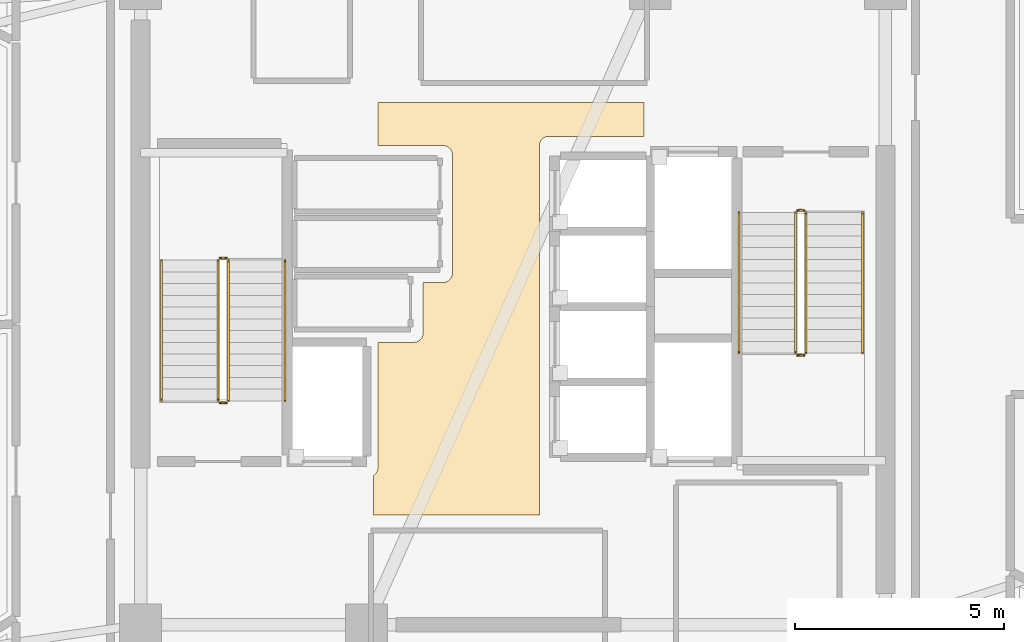
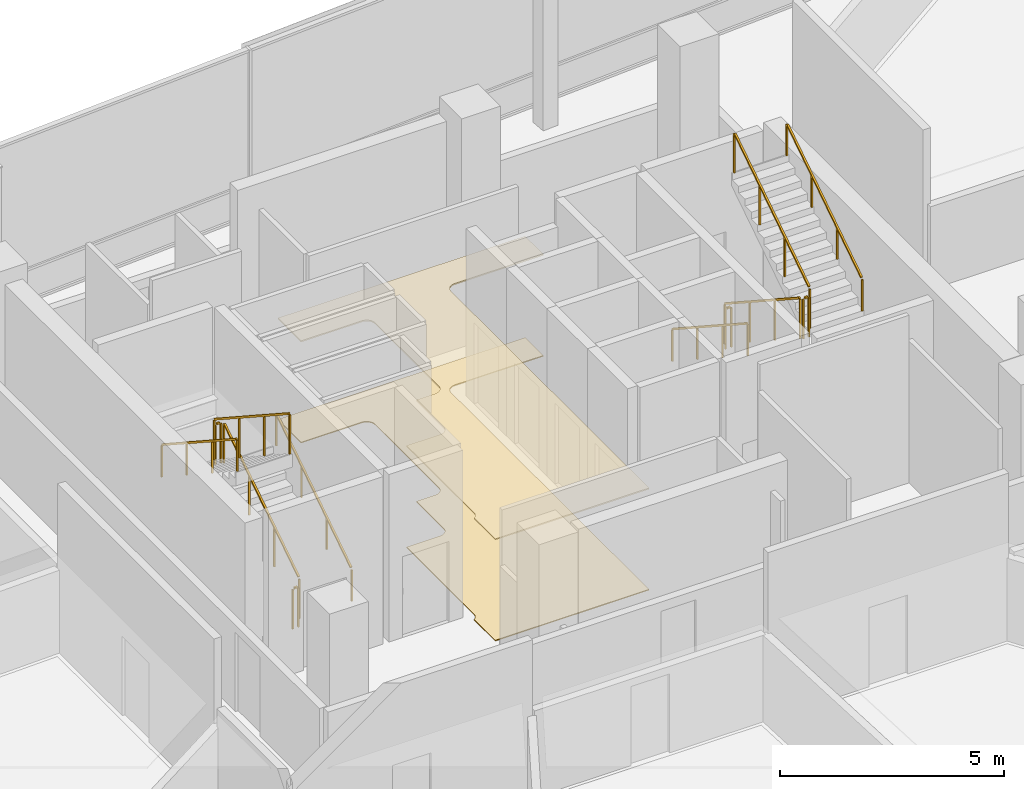
# One storey, part 15 of 16: 12 railings, 2 coverings.
"""IFC4 building model written with IfcOpenShell, lengths in metres."""

import ifcopenshell
import ifcopenshell.guid

model = None  # the IFC model being written
_history = None  # IfcOwnerHistory: only IFC2X3 demands one
_inside = {}  # id of a spatial element -> (the spatial element, [elements in it])
_under = {}  # id of a project, library or spatial element -> (it, [spatial elements below it])
_declared = {}  # id of a project -> (the project, [libraries it declares])
_typed = {}  # id of a type object -> (the type object, [elements of that type])
_made_of = {}  # id of a material, layer set ... -> (it, [elements and type objects made of it])


def new_model(schema):
    """Start an empty IFC model of exactly this schema.

    Asked for "IFC4X3", IfcOpenShell would pick the latest addendum, in which some entities
    have other attributes; the version numbers below select the first issue.
    IFC2X3 requires an IfcOwnerHistory on every rooted entity: one is made here for all.
    """
    global model, _history
    if schema == "IFC4X3":
        model = ifcopenshell.file(schema_version=(4, 3, 0, 0))
    else:
        model = ifcopenshell.file(schema=schema)
    _inside.clear()
    _under.clear()
    _declared.clear()
    _typed.clear()
    _made_of.clear()
    _history = None
    if model.schema == "IFC2X3":
        org = make("IfcOrganization", Name="unknown")
        user = make(
            "IfcPersonAndOrganization",
            ThePerson=make("IfcPerson", FamilyName="unknown"),
            TheOrganization=org,
        )
        app = make(
            "IfcApplication",
            ApplicationDeveloper=org,
            Version="unknown",
            ApplicationFullName="unknown",
            ApplicationIdentifier="unknown",
        )
        _history = make(
            "IfcOwnerHistory",
            OwningUser=user,
            OwningApplication=app,
            ChangeAction="ADDED",
            CreationDate=0,
        )
    return model


def make(cls, **values):
    """One entity of the class cls with the attributes given. An attribute that is None is left unset."""
    return model.create_entity(
        cls, **{name: value for name, value in values.items() if value is not None}
    )


def rooted(cls, **values):
    """An entity with a GlobalId (a new one), such as an element, a storey or a relation."""
    return make(cls, GlobalId=ifcopenshell.guid.new(), OwnerHistory=_history, **values)


def si_unit(unit_type, name, prefix=None):
    """IfcSIUnit, for example si_unit("LENGTHUNIT", "METRE", prefix="MILLI")."""
    return make("IfcSIUnit", UnitType=unit_type, Prefix=prefix, Name=name)


def assignment(units):
    """IfcUnitAssignment: the units of a project."""
    return None if units is None else make("IfcUnitAssignment", Units=units)


def point(xyz):
    """IfcCartesianPoint."""
    return None if xyz is None else make("IfcCartesianPoint", Coordinates=xyz)


def direction(xyz):
    """IfcDirection."""
    return None if xyz is None else make("IfcDirection", DirectionRatios=xyz)


def frame(location, z_axis=None, x_axis=None):
    """IfcAxis2Placement3D, a coordinate frame: its origin and axes. An axis left out is left unset."""
    return make(
        "IfcAxis2Placement3D",
        Location=point(location),
        Axis=direction(z_axis),
        RefDirection=direction(x_axis),
    )


def frame_2d(location, x_axis=None):
    """IfcAxis2Placement2D, a coordinate frame in the plane: its origin and x axis."""
    return make(
        "IfcAxis2Placement2D", Location=point(location), RefDirection=direction(x_axis)
    )


def origin():
    """The frame at (0, 0, 0) with its axes left unset."""
    return frame((0.0, 0.0, 0.0))


def origin_2d():
    """The frame at (0, 0) in the plane with its x axis left unset."""
    return frame_2d((0.0, 0.0))


def place(relative_to, where):
    """IfcLocalPlacement: puts the frame where relative to a parent placement (None: the world)."""
    return make(
        "IfcLocalPlacement", PlacementRelTo=relative_to, RelativePlacement=where
    )


def context(
    kind, dimensions, precision=None, world=None, true_north=None, identifier=None
):
    """IfcGeometricRepresentationContext, for example the 3D "Model" context."""
    return make(
        "IfcGeometricRepresentationContext",
        ContextIdentifier=identifier,
        ContextType=kind,
        CoordinateSpaceDimension=dimensions,
        Precision=precision,
        WorldCoordinateSystem=world,
        TrueNorth=true_north,
    )


def subcontext(parent, identifier, kind, view, scale=None):
    """IfcGeometricRepresentationSubContext, for example "Body" below "Model"."""
    return make(
        "IfcGeometricRepresentationSubContext",
        ContextIdentifier=identifier,
        ContextType=kind,
        ParentContext=parent,
        TargetScale=scale,
        TargetView=view,
    )


def project(units=None, contexts=None):
    """IfcProject with its units and contexts."""
    return rooted(
        "IfcProject",
        Name="project",
        RepresentationContexts=contexts,
        UnitsInContext=assignment(units),
    )


def spatial(cls, under=None, at=None, **own):
    """A site, building, storey or space (cls), placed at a placement, below another one or the project."""
    s = rooted(cls, ObjectPlacement=at, **own)
    if under is not None:
        _under.setdefault(under.id(), (under, []))[1].append(s)
    return s


def polyline(points):
    """IfcPolyline through the points."""
    return make("IfcPolyline", Points=[point(p) for p in points])


def profile(cls, at=None, kind="AREA", **sizes):
    """A parametric profile (cls). Its sizes go by their IFC names, for example OverallWidth=200.0."""
    return make(cls, ProfileType=kind, Position=at, **sizes)


def rectangle(**sizes):
    """IfcRectangleProfileDef."""
    return profile("IfcRectangleProfileDef", **sizes)


def outline(outer, holes=None, kind="AREA"):
    """IfcArbitraryClosedProfileDef: a profile drawn as a closed curve; with holes, ...WithVoids."""
    if holes is None:
        return make("IfcArbitraryClosedProfileDef", ProfileType=kind, OuterCurve=outer)
    return make(
        "IfcArbitraryProfileDefWithVoids",
        ProfileType=kind,
        OuterCurve=outer,
        InnerCurves=holes,
    )


def extrude(swept, where, along, depth):
    """IfcExtrudedAreaSolid: the profile swept, set in the frame where, extruded along a direction by depth."""
    return make(
        "IfcExtrudedAreaSolid",
        SweptArea=swept,
        Position=where,
        ExtrudedDirection=direction(along),
        Depth=depth,
    )


def shape(context_of_items, identifier, shape_type, items):
    """IfcShapeRepresentation: the items that make up one representation, for example the "Body"."""
    return make(
        "IfcShapeRepresentation",
        ContextOfItems=context_of_items,
        RepresentationIdentifier=identifier,
        RepresentationType=shape_type,
        Items=items,
    )


def material(Name=None, Category=None):
    """IfcMaterial."""
    return make("IfcMaterial", Name=Name, Category=Category)


def layer(
    of_material, thickness, ventilated=None, Name=None, Category=None, Priority=None
):
    """IfcMaterialLayer: one layer of a wall or slab, of a material (None: an air gap)."""
    return make(
        "IfcMaterialLayer",
        Material=of_material,
        LayerThickness=thickness,
        IsVentilated=ventilated,
        Name=Name,
        Category=Category,
        Priority=Priority,
    )


def layer_set(layers, Name=None):
    """IfcMaterialLayerSet."""
    return make("IfcMaterialLayerSet", MaterialLayers=layers, LayerSetName=Name)


def made_of(thing, what):
    """Note that an element or type object is made of a material, layer set ...; save() writes the relation."""
    if what is not None:
        _made_of.setdefault(what.id(), (what, []))[1].append(thing)
    return thing


def type_object(cls, material=None, **own):
    """A type object (cls), such as IfcWallType, which elements share."""
    return made_of(rooted(cls, **own), material)


def element(
    cls,
    number,
    at=None,
    inside=None,
    cuts=None,
    type_object=None,
    material=None,
    context=None,
    identifier="Body",
    shape_type=None,
    held_by="IfcProductDefinitionShape",
    body=None,
    shapes=None,
    **own,
):
    """One element of the class cls, such as IfcWall. Its Tag is "e" and its number.

    at: its placement. inside: the storey or other place that contains it. cuts: it is an
    opening in that element (IfcRelVoidsElement). A single representation is given by context,
    identifier, shape_type and body (its items); several are given by shapes. held_by: the class
    of the entity that holds the representations. save() writes the other relations.
    """
    e = rooted(cls, Tag="e%d" % number, ObjectPlacement=at, **own)
    if body is not None:
        shapes = [shape(context, identifier, shape_type, body)]
    if shapes is not None:
        e.Representation = make(held_by, Representations=shapes)
    if inside is not None:
        _inside.setdefault(inside.id(), (inside, []))[1].append(e)
    if cuts is not None:
        rooted(
            "IfcRelVoidsElement", RelatingBuildingElement=cuts, RelatedOpeningElement=e
        )
    if type_object is not None:
        _typed.setdefault(type_object.id(), (type_object, []))[1].append(e)
    return made_of(e, material)


def aggregate(whole, parts):
    """IfcRelAggregates: a whole, such as a stair, and the parts it consists of."""
    return rooted("IfcRelAggregates", RelatingObject=whole, RelatedObjects=parts)


def save(model, path):
    """Write the relations noted so far, then the file.

    IfcRelAggregates (storeys below a building ...), IfcRelContainedInSpatialStructure (elements
    in a storey), IfcRelDefinesByType, IfcRelAssociatesMaterial and IfcRelDeclares: one each for
    every whole, place, type object, material and project.
    """
    for whole, parts in _under.values():
        aggregate(whole, parts)
    for where, things in _inside.values():
        rooted(
            "IfcRelContainedInSpatialStructure",
            RelatedElements=things,
            RelatingStructure=where,
        )
    for kind, things in _typed.values():
        rooted("IfcRelDefinesByType", RelatedObjects=things, RelatingType=kind)
    for what, things in _made_of.values():
        rooted("IfcRelAssociatesMaterial", RelatedObjects=things, RelatingMaterial=what)
    for by, libraries in _declared.values():
        rooted("IfcRelDeclares", RelatingContext=by, RelatedDefinitions=libraries)
    model.write(path)


model = new_model("IFC4")

# Units and contexts
model_context = context("Model", 3, precision=1e-05, world=origin(), true_north=direction((0.0, 1.0)))
body_context = subcontext(model_context, "Body", "Model", "MODEL_VIEW")
ifc_project = project(units=[si_unit("LENGTHUNIT", "METRE"), si_unit("AREAUNIT", "SQUARE_METRE"), si_unit("VOLUMEUNIT", "CUBIC_METRE"), si_unit("PLANEANGLEUNIT", "RADIAN"), si_unit("MASSUNIT", "GRAM", prefix="KILO")], contexts=[model_context])

# Site, building, storey
site_placement = place(None, origin())
site = spatial("IfcSite", under=ifc_project, at=site_placement, CompositionType="ELEMENT")
building_placement = place(site_placement, origin())
building = spatial("IfcBuilding", under=site, at=building_placement, Name="Tharavind Bronze Gate", CompositionType="ELEMENT")
storey_placement = place(building_placement, frame((0.0, 0.0, 275.0)))
storey = spatial("IfcBuildingStorey", under=building, at=storey_placement, Name="L71", CompositionType="ELEMENT", Elevation=275.0)

# Coverings
ifc_material_1 = material(Name="Perforated Bronze Acoustic Panel", Category="bronze")
ifc_layer_1 = layer(ifc_material_1, 0.044921875)
ifc_layer_set_1 = layer_set([ifc_layer_1], Name="Perforated Bronze Acoustic Panel")
covering_type_1 = type_object("IfcCoveringType", Name="ACOUSTIC BRONZE BAFFLE CEILING", PredefinedType="CEILING", material=ifc_layer_set_1)
covering_1_placement = place(storey_placement, frame((0.0, 0.0, 2.75)))
element("IfcCovering", 1, at=covering_1_placement, inside=storey, type_object=covering_type_1, Name="L71-C-LL suspended ceiling", PredefinedType="CEILING", context=body_context, shape_type="SweptSolid", body=[
    extrude(outline(polyline([(-3.330078125, -4.97998046875), (0.6298828125, -4.97998046875), (0.6298828125, 3.85009765625), (0.631103515625, 3.87158203125), (0.63427734375, 3.892822265625), (0.639404296875, 3.913818359375), (0.646728515625, 3.93408203125), (0.656005859375, 3.95361328125), (0.6669921875, 3.97216796875), (0.679931640625, 3.989501953125), (0.6943359375, 4.005615234375), (0.71044921875, 4.02001953125), (0.727783203125, 4.032958984375), (0.746337890625, 4.0439453125), (0.765869140625, 4.05322265625), (0.7861328125, 4.060546875), (0.80712890625, 4.06591796875), (0.828369140625, 4.06884765625), (0.85009765625, 4.070068359375), (3.1298828125, 4.070068359375), (3.1298828125, 4.8798828125), (-3.22998046875, 4.8798828125), (-3.22998046875, 3.85009765625), (-1.669921875, 3.85009765625), (-1.6484375, 3.848876953125), (-1.627197265625, 3.845703125), (-1.606201171875, 3.840576171875), (-1.585693359375, 3.833251953125), (-1.56640625, 3.823974609375), (-1.5478515625, 3.81298828125), (-1.530517578125, 3.800048828125), (-1.514404296875, 3.78564453125), (-1.5, 3.76953125), (-1.487060546875, 3.752197265625), (-1.47607421875, 3.733642578125), (-1.466796875, 3.714111328125), (-1.45947265625, 3.69384765625), (-1.4541015625, 3.6728515625), (-1.451171875, 3.651611328125), (-1.449951171875, 3.6298828125), (-1.449951171875, 0.800048828125), (-1.451171875, 0.7783203125), (-1.4541015625, 0.757080078125), (-1.45947265625, 0.736083984375), (-1.466796875, 0.7158203125), (-1.47607421875, 0.6962890625), (-1.487060546875, 0.677734375), (-1.5, 0.660400390625), (-1.514404296875, 0.644287109375), (-1.530517578125, 0.6298828125), (-1.5478515625, 0.6171875), (-1.56640625, 0.60595703125), (-1.585693359375, 0.5966796875), (-1.606201171875, 0.589599609375), (-1.627197265625, 0.584228515625), (-1.6484375, 0.5810546875), (-1.669921875, 0.580078125), (-2.14990234375, 0.580078125), (-2.14990234375, -0.6298828125), (-2.151123046875, -0.651611328125), (-2.154296875, -0.6728515625), (-2.159423828125, -0.69384765625), (-2.166748046875, -0.714111328125), (-2.176025390625, -0.733642578125), (-2.18701171875, -0.752197265625), (-2.199951171875, -0.76953125), (-2.21435546875, -0.78564453125), (-2.23046875, -0.800048828125), (-2.247802734375, -0.81298828125), (-2.266357421875, -0.823974609375), (-2.285888671875, -0.833251953125), (-2.30615234375, -0.840576171875), (-2.3271484375, -0.845703125), (-2.348388671875, -0.848876953125), (-2.3701171875, -0.85009765625), (-3.22998046875, -0.85009765625), (-3.22998046875, -3.85009765625), (-3.231201171875, -3.87158203125), (-3.234130859375, -3.892822265625), (-3.239501953125, -3.913818359375), (-3.24658203125, -3.93408203125), (-3.256103515625, -3.95361328125), (-3.26708984375, -3.97216796875), (-3.27978515625, -3.989501953125), (-3.29443359375, -4.005615234375), (-3.310302734375, -4.02001953125), (-3.327880859375, -4.032958984375), (-3.330078125, -4.0341796875), (-3.330078125, -4.97998046875)])), origin(), (0.0, 0.0, 1.0), 0.034912109375),
])
ifc_material_2 = material(Name="Honed Travertine Limestone", Category="masonry")
ifc_layer_2 = layer(ifc_material_2, 0.030029296875)
ifc_layer_set_2 = layer_set([ifc_layer_2], Name="Honed Travertine Limestone")
covering_type_2 = type_object("IfcCoveringType", Name="HONED LIMESTONE FLOORING", PredefinedType="FLOORING", material=ifc_layer_set_2)
covering_2_placement = place(storey_placement, origin())
element("IfcCovering", 2, at=covering_2_placement, inside=storey, type_object=covering_type_2, Name="L71-C-LL floor finish", PredefinedType="FLOORING", context=body_context, shape_type="SweptSolid", body=[
    extrude(outline(polyline([(-3.330078125, -4.97998046875), (0.6298828125, -4.97998046875), (0.6298828125, 3.85009765625), (0.631103515625, 3.87158203125), (0.63427734375, 3.892822265625), (0.639404296875, 3.913818359375), (0.646728515625, 3.93408203125), (0.656005859375, 3.95361328125), (0.6669921875, 3.97216796875), (0.679931640625, 3.989501953125), (0.6943359375, 4.005615234375), (0.71044921875, 4.02001953125), (0.727783203125, 4.032958984375), (0.746337890625, 4.0439453125), (0.765869140625, 4.05322265625), (0.7861328125, 4.060546875), (0.80712890625, 4.06591796875), (0.828369140625, 4.06884765625), (0.85009765625, 4.070068359375), (3.1298828125, 4.070068359375), (3.1298828125, 4.8798828125), (-3.22998046875, 4.8798828125), (-3.22998046875, 3.85009765625), (-1.669921875, 3.85009765625), (-1.6484375, 3.848876953125), (-1.627197265625, 3.845703125), (-1.606201171875, 3.840576171875), (-1.585693359375, 3.833251953125), (-1.56640625, 3.823974609375), (-1.5478515625, 3.81298828125), (-1.530517578125, 3.800048828125), (-1.514404296875, 3.78564453125), (-1.5, 3.76953125), (-1.487060546875, 3.752197265625), (-1.47607421875, 3.733642578125), (-1.466796875, 3.714111328125), (-1.45947265625, 3.69384765625), (-1.4541015625, 3.6728515625), (-1.451171875, 3.651611328125), (-1.449951171875, 3.6298828125), (-1.449951171875, 0.800048828125), (-1.451171875, 0.7783203125), (-1.4541015625, 0.757080078125), (-1.45947265625, 0.736083984375), (-1.466796875, 0.7158203125), (-1.47607421875, 0.6962890625), (-1.487060546875, 0.677734375), (-1.5, 0.660400390625), (-1.514404296875, 0.644287109375), (-1.530517578125, 0.6298828125), (-1.5478515625, 0.6171875), (-1.56640625, 0.60595703125), (-1.585693359375, 0.5966796875), (-1.606201171875, 0.589599609375), (-1.627197265625, 0.584228515625), (-1.6484375, 0.5810546875), (-1.669921875, 0.580078125), (-2.14990234375, 0.580078125), (-2.14990234375, -0.6298828125), (-2.151123046875, -0.651611328125), (-2.154296875, -0.6728515625), (-2.159423828125, -0.69384765625), (-2.166748046875, -0.714111328125), (-2.176025390625, -0.733642578125), (-2.18701171875, -0.752197265625), (-2.199951171875, -0.76953125), (-2.21435546875, -0.78564453125), (-2.23046875, -0.800048828125), (-2.247802734375, -0.81298828125), (-2.266357421875, -0.823974609375), (-2.285888671875, -0.833251953125), (-2.30615234375, -0.840576171875), (-2.3271484375, -0.845703125), (-2.348388671875, -0.848876953125), (-2.3701171875, -0.85009765625), (-3.22998046875, -0.85009765625), (-3.22998046875, -3.85009765625), (-3.231201171875, -3.87158203125), (-3.234130859375, -3.892822265625), (-3.239501953125, -3.913818359375), (-3.24658203125, -3.93408203125), (-3.256103515625, -3.95361328125), (-3.26708984375, -3.97216796875), (-3.27978515625, -3.989501953125), (-3.29443359375, -4.005615234375), (-3.310302734375, -4.02001953125), (-3.327880859375, -4.032958984375), (-3.330078125, -4.0341796875), (-3.330078125, -4.97998046875)])), origin(), (0.0, 0.0, 1.0), 0.02490234375),
])

# Railings
ifc_material_3 = material(Name="Brushed Bronze Alloy", Category="metal")
railing_type_1 = type_object("IfcRailingType", Name="STAIR BRONZE HANDRAIL 900", PredefinedType="HANDRAIL", material=ifc_material_3)
railing_1_placement = place(storey_placement, frame((-5.449951171875, -2.25, 0.1826171875)))
element("IfcRailing", 3, at=railing_1_placement, inside=storey, type_object=railing_type_1, Name="L71 ST1 stair handrail 1", PredefinedType="HANDRAIL", context=body_context, shape_type="SweptSolid", body=[
    extrude(rectangle(XDim=0.048095703125, YDim=0.048095703125, at=origin_2d()), frame((0.0, 0.02685546875, 0.893310546875), z_axis=(0.0, 0.837495574281, 0.546444107901), x_axis=(-1.0, 0.0, 0.0)), (0.0, 0.0, 1.0), 3.947998046875),
    extrude(rectangle(XDim=0.0400390625, YDim=0.0400390625, at=origin_2d()), origin(), (0.0, 0.0, 1.0), 0.847900390625),
    extrude(rectangle(XDim=0.0400390625, YDim=0.0400390625, at=origin_2d()), frame((0.0, 1.1201171875, 0.730712890625)), (0.0, 0.0, 1.0), 0.847900390625),
    extrude(rectangle(XDim=0.0400390625, YDim=0.0400390625, at=origin_2d()), frame((0.0, 2.239990234375, 1.461669921875)), (0.0, 0.0, 1.0), 0.847900390625),
    extrude(rectangle(XDim=0.0400390625, YDim=0.0400390625, at=origin_2d()), frame((0.0, 3.360107421875, 2.1923828125)), (0.0, 0.0, 1.0), 0.847900390625),
])
for number, where, name in (
    (4, (-8.39990234375, 1.110107421875, 2.5576171875), "L71 ST1 stair handrail 2"),
    (5, (5.39990234375, 2.25, 0.1826171875), "L71 ST2 stair handrail 1"),
):
    element("IfcRailing", number, at=place(storey_placement, frame(where)), inside=storey, type_object=railing_type_1, Name=name, PredefinedType="HANDRAIL", context=body_context, shape_type="SweptSolid", body=[
        extrude(rectangle(XDim=0.048095703125, YDim=0.048095703125, at=origin_2d()), frame((0.0, -0.02685546875, 0.893310546875), z_axis=(0.0, -0.837495574281, 0.546444107901), x_axis=(1.0, 0.0, 0.0)), (0.0, 0.0, 1.0), 3.947998046875),
        extrude(rectangle(XDim=0.0400390625, YDim=0.0400390625, at=origin_2d()), origin(), (0.0, 0.0, 1.0), 0.847900390625),
        extrude(rectangle(XDim=0.0400390625, YDim=0.0400390625, at=origin_2d()), frame((0.0, -1.1201171875, 0.730712890625)), (0.0, 0.0, 1.0), 0.847900390625),
        extrude(rectangle(XDim=0.0400390625, YDim=0.0400390625, at=origin_2d()), frame((0.0, -2.239990234375, 1.461669921875)), (0.0, 0.0, 1.0), 0.847900390625),
        extrude(rectangle(XDim=0.0400390625, YDim=0.0400390625, at=origin_2d()), frame((0.0, -3.360107421875, 2.1923828125)), (0.0, 0.0, 1.0), 0.847900390625),
    ])
railing_2_placement = place(storey_placement, frame((8.35009765625, -1.110107421875, 2.5576171875)))
element("IfcRailing", 6, at=railing_2_placement, inside=storey, type_object=railing_type_1, Name="L71 ST2 stair handrail 2", PredefinedType="HANDRAIL", context=body_context, shape_type="SweptSolid", body=[
    extrude(rectangle(XDim=0.048095703125, YDim=0.048095703125, at=origin_2d()), frame((0.0, 0.02685546875, 0.893310546875), z_axis=(0.0, 0.837495574281, 0.546444107901), x_axis=(-1.0, 0.0, 0.0)), (0.0, 0.0, 1.0), 3.947998046875),
    extrude(rectangle(XDim=0.0400390625, YDim=0.0400390625, at=origin_2d()), origin(), (0.0, 0.0, 1.0), 0.847900390625),
    extrude(rectangle(XDim=0.0400390625, YDim=0.0400390625, at=origin_2d()), frame((0.0, 1.1201171875, 0.730712890625)), (0.0, 0.0, 1.0), 0.847900390625),
    extrude(rectangle(XDim=0.0400390625, YDim=0.0400390625, at=origin_2d()), frame((0.0, 2.239990234375, 1.461669921875)), (0.0, 0.0, 1.0), 0.847900390625),
    extrude(rectangle(XDim=0.0400390625, YDim=0.0400390625, at=origin_2d()), frame((0.0, 3.360107421875, 2.1923828125)), (0.0, 0.0, 1.0), 0.847900390625),
])
railing_type_2 = type_object("IfcRailingType", Name="STAIR WELL GUARD RAILING 1120", PredefinedType="GUARDRAIL", material=ifc_material_3)
railing_3_placement = place(storey_placement, frame((-6.800048828125, -2.25, 0.1826171875)))
element("IfcRailing", 7, at=railing_3_placement, inside=storey, type_object=railing_type_2, Name="L71 ST1 stair guard 1", PredefinedType="GUARDRAIL", context=body_context, shape_type="SweptSolid", body=[
    extrude(rectangle(XDim=0.048095703125, YDim=0.048095703125, at=origin_2d()), frame((0.0, 0.02685546875, 1.113525390625), z_axis=(0.0, 0.837495574281, 0.546444107901), x_axis=(-1.0, 0.0, 0.0)), (0.0, 0.0, 1.0), 3.947998046875),
    extrude(rectangle(XDim=0.0400390625, YDim=0.0400390625, at=origin_2d()), origin(), (0.0, 0.0, 1.0), 1.068115234375),
    extrude(rectangle(XDim=0.0400390625, YDim=0.0400390625, at=origin_2d()), frame((0.0, 1.1201171875, 0.730712890625)), (0.0, 0.0, 1.0), 1.068115234375),
    extrude(rectangle(XDim=0.0400390625, YDim=0.0400390625, at=origin_2d()), frame((0.0, 2.239990234375, 1.461669921875)), (0.0, 0.0, 1.0), 1.068115234375),
    extrude(rectangle(XDim=0.0400390625, YDim=0.0400390625, at=origin_2d()), frame((0.0, 3.360107421875, 2.1923828125)), (0.0, 0.0, 1.0), 1.068115234375),
])
railing_4_placement = place(storey_placement, frame((-6.85009765625, 1.159912109375, 2.375)))
element("IfcRailing", 8, at=railing_4_placement, inside=storey, type_object=railing_type_2, Name="L71 ST1 stair guard 2", PredefinedType="GUARDRAIL", context=body_context, shape_type="SweptSolid", body=[
    extrude(rectangle(XDim=0.048095703125, YDim=0.048095703125, at=origin_2d()), frame((-0.031982421875, 0.0, 1.09619140625), z_axis=(-1.0, 0.0, 0.0), x_axis=(0.0, -1.0, 0.0)), (0.0, 0.0, 1.0), 0.0859375),
    extrude(rectangle(XDim=0.0400390625, YDim=0.0400390625, at=origin_2d()), origin(), (0.0, 0.0, 1.0), 1.068115234375),
    extrude(rectangle(XDim=0.0400390625, YDim=0.0400390625, at=origin_2d()), frame((-0.14990234375, 0.0, 0.0)), (0.0, 0.0, 1.0), 1.068115234375),
])
railing_5_placement = place(storey_placement, frame((-7.050048828125, 1.110107421875, 2.5576171875)))
element("IfcRailing", 9, at=railing_5_placement, inside=storey, type_object=railing_type_2, Name="L71 ST1 stair guard 3", PredefinedType="GUARDRAIL", context=body_context, shape_type="SweptSolid", body=[
    extrude(rectangle(XDim=0.048095703125, YDim=0.048095703125, at=origin_2d()), frame((0.0, -0.02685546875, 1.113525390625), z_axis=(0.0, -0.837495574281, 0.546444107901), x_axis=(1.0, 0.0, 0.0)), (0.0, 0.0, 1.0), 3.947998046875),
    extrude(rectangle(XDim=0.0400390625, YDim=0.0400390625, at=origin_2d()), origin(), (0.0, 0.0, 1.0), 1.068115234375),
    extrude(rectangle(XDim=0.0400390625, YDim=0.0400390625, at=origin_2d()), frame((0.0, -1.1201171875, 0.730712890625)), (0.0, 0.0, 1.0), 1.068115234375),
    extrude(rectangle(XDim=0.0400390625, YDim=0.0400390625, at=origin_2d()), frame((0.0, -2.239990234375, 1.461669921875)), (0.0, 0.0, 1.0), 1.068115234375),
    extrude(rectangle(XDim=0.0400390625, YDim=0.0400390625, at=origin_2d()), frame((0.0, -3.360107421875, 2.1923828125)), (0.0, 0.0, 1.0), 1.068115234375),
])
railing_6_placement = place(storey_placement, frame((-6.85009765625, -2.300048828125, 0.0)))
element("IfcRailing", 10, at=railing_6_placement, inside=storey, type_object=railing_type_2, Name="L71 ST1 stair guard 4", PredefinedType="GUARDRAIL", context=body_context, shape_type="SweptSolid", body=[
    extrude(rectangle(XDim=0.048095703125, YDim=0.048095703125, at=origin_2d()), frame((-0.031982421875, 0.0, 1.09619140625), z_axis=(-1.0, 0.0, 0.0), x_axis=(0.0, -1.0, 0.0)), (0.0, 0.0, 1.0), 0.0859375),
    extrude(rectangle(XDim=0.0400390625, YDim=0.0400390625, at=origin_2d()), origin(), (0.0, 0.0, 1.0), 1.068115234375),
    extrude(rectangle(XDim=0.0400390625, YDim=0.0400390625, at=origin_2d()), frame((-0.14990234375, 0.0, 0.0)), (0.0, 0.0, 1.0), 1.068115234375),
])
railing_7_placement = place(storey_placement, frame((6.75, 2.25, 0.1826171875)))
element("IfcRailing", 11, at=railing_7_placement, inside=storey, type_object=railing_type_2, Name="L71 ST2 stair guard 1", PredefinedType="GUARDRAIL", context=body_context, shape_type="SweptSolid", body=[
    extrude(rectangle(XDim=0.048095703125, YDim=0.048095703125, at=origin_2d()), frame((0.0, -0.02685546875, 1.113525390625), z_axis=(0.0, -0.837495574281, 0.546444107901), x_axis=(1.0, 0.0, 0.0)), (0.0, 0.0, 1.0), 3.947998046875),
    extrude(rectangle(XDim=0.0400390625, YDim=0.0400390625, at=origin_2d()), origin(), (0.0, 0.0, 1.0), 1.068115234375),
    extrude(rectangle(XDim=0.0400390625, YDim=0.0400390625, at=origin_2d()), frame((0.0, -1.1201171875, 0.730712890625)), (0.0, 0.0, 1.0), 1.068115234375),
    extrude(rectangle(XDim=0.0400390625, YDim=0.0400390625, at=origin_2d()), frame((0.0, -2.239990234375, 1.461669921875)), (0.0, 0.0, 1.0), 1.068115234375),
    extrude(rectangle(XDim=0.0400390625, YDim=0.0400390625, at=origin_2d()), frame((0.0, -3.360107421875, 2.1923828125)), (0.0, 0.0, 1.0), 1.068115234375),
])
railing_8_placement = place(storey_placement, frame((6.800048828125, -1.159912109375, 2.375)))
element("IfcRailing", 12, at=railing_8_placement, inside=storey, type_object=railing_type_2, Name="L71 ST2 stair guard 2", PredefinedType="GUARDRAIL", context=body_context, shape_type="SweptSolid", body=[
    extrude(rectangle(XDim=0.048095703125, YDim=0.048095703125, at=origin_2d()), frame((0.031982421875, 0.0, 1.09619140625), z_axis=(1.0, 0.0, 0.0), x_axis=(0.0, 1.0, 0.0)), (0.0, 0.0, 1.0), 0.0859375),
    extrude(rectangle(XDim=0.0400390625, YDim=0.0400390625, at=origin_2d()), origin(), (0.0, 0.0, 1.0), 1.068115234375),
    extrude(rectangle(XDim=0.0400390625, YDim=0.0400390625, at=origin_2d()), frame((0.14990234375, 0.0, 0.0)), (0.0, 0.0, 1.0), 1.068115234375),
])
railing_9_placement = place(storey_placement, frame((7.0, -1.110107421875, 2.5576171875)))
element("IfcRailing", 13, at=railing_9_placement, inside=storey, type_object=railing_type_2, Name="L71 ST2 stair guard 3", PredefinedType="GUARDRAIL", context=body_context, shape_type="SweptSolid", body=[
    extrude(rectangle(XDim=0.048095703125, YDim=0.048095703125, at=origin_2d()), frame((0.0, 0.02685546875, 1.113525390625), z_axis=(0.0, 0.837495574281, 0.546444107901), x_axis=(-1.0, 0.0, 0.0)), (0.0, 0.0, 1.0), 3.947998046875),
    extrude(rectangle(XDim=0.0400390625, YDim=0.0400390625, at=origin_2d()), origin(), (0.0, 0.0, 1.0), 1.068115234375),
    extrude(rectangle(XDim=0.0400390625, YDim=0.0400390625, at=origin_2d()), frame((0.0, 1.1201171875, 0.730712890625)), (0.0, 0.0, 1.0), 1.068115234375),
    extrude(rectangle(XDim=0.0400390625, YDim=0.0400390625, at=origin_2d()), frame((0.0, 2.239990234375, 1.461669921875)), (0.0, 0.0, 1.0), 1.068115234375),
    extrude(rectangle(XDim=0.0400390625, YDim=0.0400390625, at=origin_2d()), frame((0.0, 3.360107421875, 2.1923828125)), (0.0, 0.0, 1.0), 1.068115234375),
])
railing_10_placement = place(storey_placement, frame((6.800048828125, 2.300048828125, 0.0)))
element("IfcRailing", 14, at=railing_10_placement, inside=storey, type_object=railing_type_2, Name="L71 ST2 stair guard 4", PredefinedType="GUARDRAIL", context=body_context, shape_type="SweptSolid", body=[
    extrude(rectangle(XDim=0.048095703125, YDim=0.048095703125, at=origin_2d()), frame((0.031982421875, 0.0, 1.09619140625), z_axis=(1.0, 0.0, 0.0), x_axis=(0.0, 1.0, 0.0)), (0.0, 0.0, 1.0), 0.0859375),
    extrude(rectangle(XDim=0.0400390625, YDim=0.0400390625, at=origin_2d()), origin(), (0.0, 0.0, 1.0), 1.068115234375),
    extrude(rectangle(XDim=0.0400390625, YDim=0.0400390625, at=origin_2d()), frame((0.14990234375, 0.0, 0.0)), (0.0, 0.0, 1.0), 1.068115234375),
])

save(model, "model.ifc")
